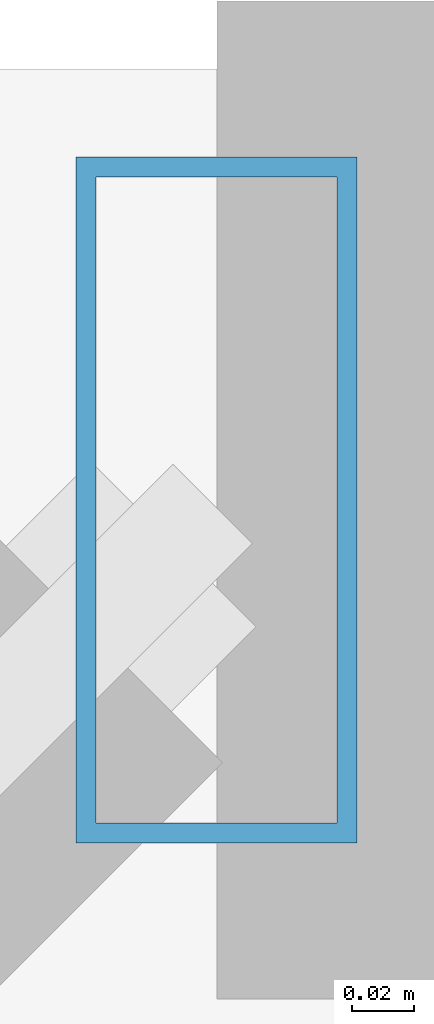
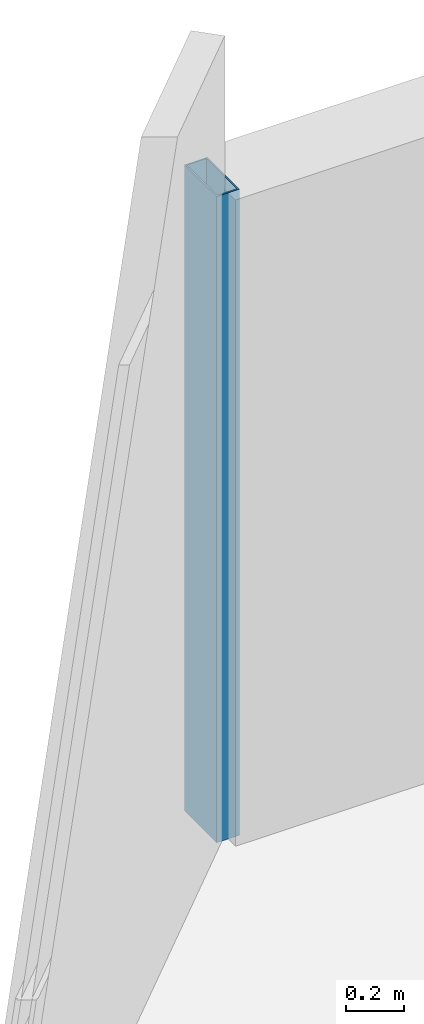
# One storey, part 16 of 34: 1 member, 1 element without a shape of its own.
"""IFC4 building model written with IfcOpenShell, lengths in metres."""

from ifc_helpers import new_model, si_unit, direction, frame, origin, origin_2d, place, context, subcontext, project, spatial, hollow_rectangle, extrude, material, material_profile, profile_set, type_object, element, aggregate, save


model = new_model("IFC4")

# Units and contexts
model_context = context("Model", 3, precision=1e-05, world=origin(), true_north=direction((0.0, 1.0)))
body_context = subcontext(model_context, "Body", "Model", "MODEL_VIEW")
ifc_project = project(units=[si_unit("LENGTHUNIT", "METRE"), si_unit("AREAUNIT", "SQUARE_METRE"), si_unit("VOLUMEUNIT", "CUBIC_METRE"), si_unit("PLANEANGLEUNIT", "RADIAN"), si_unit("MASSUNIT", "GRAM", prefix="KILO")], contexts=[model_context])

# Site, building, storey
site_placement = place(None, origin())
site = spatial("IfcSite", under=ifc_project, at=site_placement, CompositionType="ELEMENT")
building_placement = place(site_placement, origin())
building = spatial("IfcBuilding", under=site, at=building_placement, Name="Thornwick Lancets Civic Towers", CompositionType="ELEMENT")
storey_placement = place(building_placement, frame((0.0, 0.0, 57.300048828125)))
storey = spatial("IfcBuildingStorey", under=building, at=storey_placement, Name="L14", CompositionType="ELEMENT", Elevation=57.300048828125)

# Curtain wall, member
ifc_material_1 = material(Name="Low-zone chamfered-corner unitised glass curtain wall", Category="glass")
curtain_wall_type = type_object("IfcCurtainWallType", Name="CW_SYS_03", PredefinedType="NOTDEFINED", material=ifc_material_1)
curtain_wall_placement = place(storey_placement, origin())
curtain_wall = element("IfcCurtainWall", 1, at=curtain_wall_placement, inside=storey, type_object=curtain_wall_type, Name="L14 Curtain Wall CW-L14-B-E5", PredefinedType="NOTDEFINED")
ifc_material_2 = material(Name="Thermally broken bronze aluminium S355", Category="steel")
ifc_material_profile = material_profile(ifc_material_2, hollow_rectangle(XDim=0.090087890625, YDim=0.219970703125, WallThickness=0.00634765625, at=origin_2d()), Name="RHS 220x90x6.3")
ifc_profile_set = profile_set([ifc_material_profile], Name="Thermally broken bronze aluminium S355")
member_type = type_object("IfcMemberType", Name="CW_MUL_220", PredefinedType="MULLION", material=ifc_profile_set)
member_placement = place(storey_placement, frame((73.797119140625, 51.26171875, 0.0), z_axis=(0.0, 0.0, 1.0), x_axis=(1.0, 0.0, 0.0)))
member = element("IfcMember", 2, at=member_placement, type_object=member_type, Name="CW-L14-B-E5 Mullion 0", PredefinedType="MULLION", context=body_context, shape_type="SweptSolid", body=[
    extrude(hollow_rectangle(XDim=0.090087890625, YDim=0.219970703125, WallThickness=0.00634765625, at=origin_2d()), origin(), (0.0, 0.0, 1.0), 2.699951171875),
])
aggregate(curtain_wall, [member])

save(model, "model.ifc")
